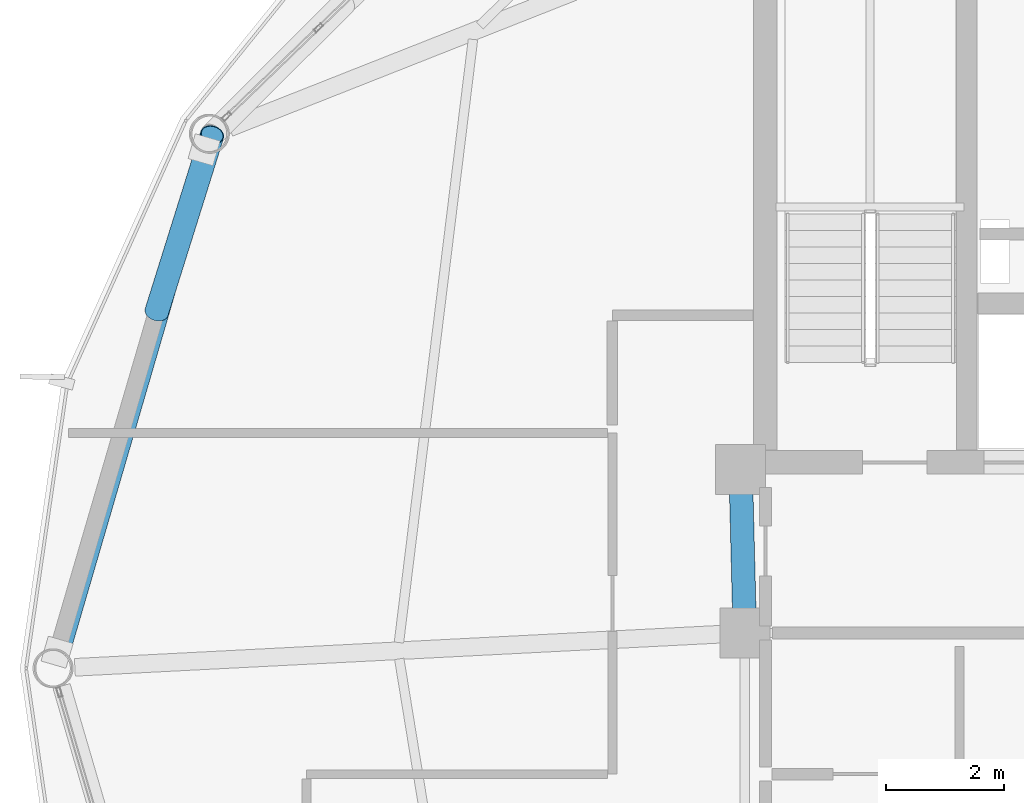
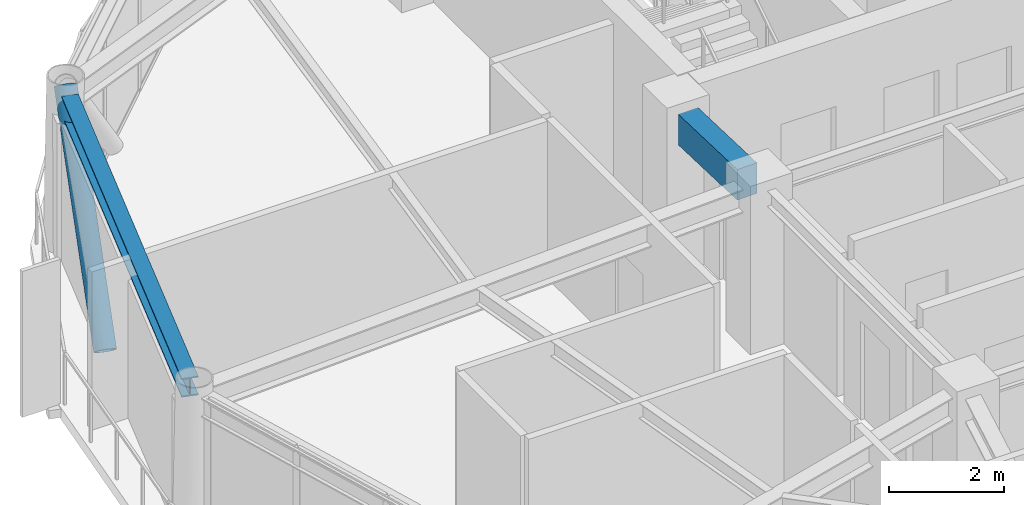
# One storey, part 11 of 26: 2 beams, 1 member.
"""IFC4 building model written with IfcOpenShell, lengths in metres."""

from ifc_helpers import new_model, si_unit, direction, frame, origin, origin_2d, place, context, subcontext, project, spatial, rectangle, hollow_circle, i_section, extrude, material, material_profile, profile_set, type_object, element, save


model = new_model("IFC4")

# Units and contexts
model_context = context("Model", 3, precision=1e-05, world=origin(), true_north=direction((0.0, 1.0)))
body_context = subcontext(model_context, "Body", "Model", "MODEL_VIEW")
ifc_project = project(units=[si_unit("LENGTHUNIT", "METRE"), si_unit("AREAUNIT", "SQUARE_METRE"), si_unit("VOLUMEUNIT", "CUBIC_METRE"), si_unit("PLANEANGLEUNIT", "RADIAN"), si_unit("MASSUNIT", "GRAM", prefix="KILO")], contexts=[model_context])

# Site, building, storey
site_placement = place(None, origin())
site = spatial("IfcSite", under=ifc_project, at=site_placement, CompositionType="ELEMENT")
building_placement = place(site_placement, origin())
building = spatial("IfcBuilding", under=site, at=building_placement, Name="Varnakorn Sky Granary", CompositionType="ELEMENT")
storey_placement = place(building_placement, frame((0.0, 0.0, 222.0)))
storey = spatial("IfcBuildingStorey", under=building, at=storey_placement, Name="L56", CompositionType="ELEMENT", Elevation=222.0)

# Beams
ifc_material_1 = material(Name="Concrete C50/60", Category="concrete")
ifc_material_profile_1 = material_profile(ifc_material_1, rectangle(XDim=0.39990234375, YDim=0.64990234375, at=origin_2d()), Name="RC 400x650")
ifc_profile_set_1 = profile_set([ifc_material_profile_1], Name="Concrete C50/60")
beam_type_1 = type_object("IfcBeamType", Name="BM-LIN-650", PredefinedType="LINTEL", material=ifc_profile_set_1)
beam_1_placement = place(storey_placement, frame((-2.409912109375, 2.97509765625, 3.034912109375), z_axis=(0.025270737467, -0.99968064392, 0.0), x_axis=(0.99968064392, 0.025270737467, 0.0)))
element("IfcBeam", 1, at=beam_1_placement, inside=storey, type_object=beam_type_1, Name="Core Spine Framing Beam 1 L56", PredefinedType="LINTEL", context=body_context, shape_type="SweptSolid", body=[
    extrude(rectangle(XDim=0.39990234375, YDim=0.64990234375, at=origin_2d()), origin(), (0.0, 0.0, 1.0), 1.970947265625),
])
ifc_material_2 = material(Name="Steel S355JR", Category="steel")
ifc_material_profile_2 = material_profile(ifc_material_2, i_section(OverallWidth=0.300048828125, OverallDepth=0.39990234375, WebThickness=0.013427734375, FlangeThickness=0.02392578125, at=origin_2d()), Name="HE 400 B")
ifc_profile_set_2 = profile_set([ifc_material_profile_2], Name="Steel S355JR")
beam_type_2 = type_object("IfcBeamType", Name="BM-SPD-Z4", PredefinedType="SPANDREL", material=ifc_profile_set_2)
beam_2_placement = place(storey_placement, frame((-11.490966796875, 8.76806640625, 3.159912109375), z_axis=(-0.280368843743, -0.959892343681, 0.0), x_axis=(0.959892343681, -0.280368843743, 0.0)))
element("IfcBeam", 2, at=beam_2_placement, inside=storey, type_object=beam_type_2, Name="Perimeter Spandrel Ring Beam RB06 L56", PredefinedType="SPANDREL", context=body_context, shape_type="SweptSolid", body=[
    extrude(i_section(OverallWidth=0.300048828125, OverallDepth=0.39990234375, WebThickness=0.013427734375, FlangeThickness=0.02392578125, at=origin_2d()), origin(), (0.0, 0.0, 1.0), 8.8193359375),
])

# Member
ifc_material_3 = material(Name="Steel S460M", Category="steel")
ifc_material_profile_3 = material_profile(ifc_material_3, hollow_circle(Radius=0.203125, WallThickness=0.01611328125, at=origin_2d()), Name="CHS 406.4x16")
ifc_profile_set_3 = profile_set([ifc_material_profile_3], Name="Steel S460M")
member_type = type_object("IfcMemberType", Name="MB-DIAG-T4", PredefinedType="BRACE", material=ifc_profile_set_3)
member_placement = place(storey_placement, frame((-12.3466796875, 6.058349609375, -0.1298828125), z_axis=(0.200622208187, 0.640102613035, 0.741632910791), x_axis=(-0.954229178866, 0.29907636851, 0.0)))
element("IfcMember", 3, at=member_placement, inside=storey, type_object=member_type, Name="Perimeter CHS Diagrid Brace DG06 L56", PredefinedType="BRACE", context=body_context, shape_type="SweptSolid", body=[
    extrude(hollow_circle(Radius=0.203125, WallThickness=0.01611328125, at=origin_2d()), origin(), (0.0, 0.0, 1.0), 4.705810546875),
])

save(model, "model.ifc")
